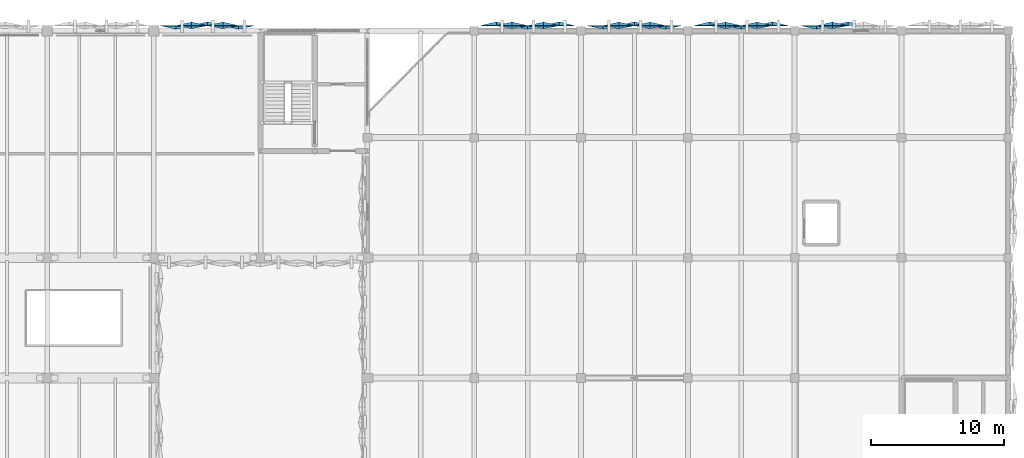
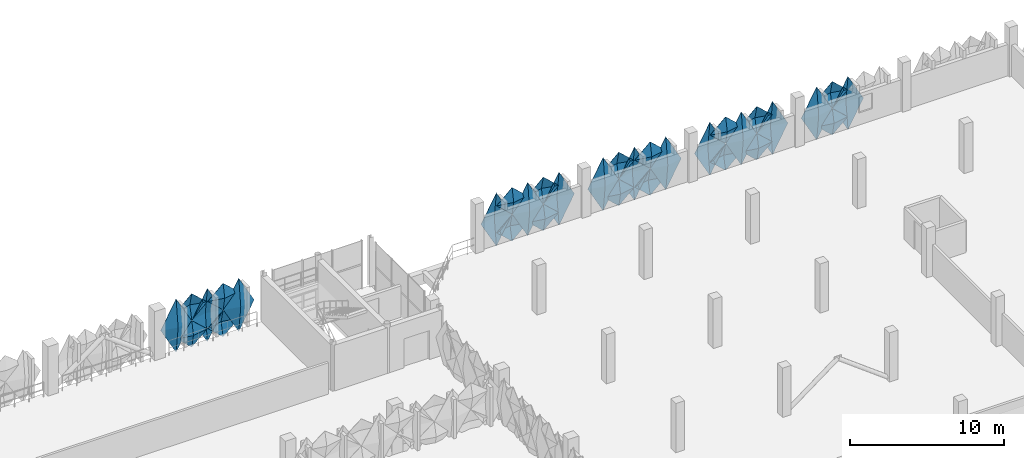
# One storey, part 81 of 96: 32 plates.
"""IFC4 building model written with IfcOpenShell, lengths in metres."""

import ifcopenshell
import ifcopenshell.guid

model = None  # the IFC model being written
_history = None  # IfcOwnerHistory: only IFC2X3 demands one
_inside = {}  # id of a spatial element -> (the spatial element, [elements in it])
_under = {}  # id of a project, library or spatial element -> (it, [spatial elements below it])
_declared = {}  # id of a project -> (the project, [libraries it declares])
_typed = {}  # id of a type object -> (the type object, [elements of that type])
_made_of = {}  # id of a material, layer set ... -> (it, [elements and type objects made of it])


def new_model(schema):
    """Start an empty IFC model of exactly this schema.

    Asked for "IFC4X3", IfcOpenShell would pick the latest addendum, in which some entities
    have other attributes; the version numbers below select the first issue.
    IFC2X3 requires an IfcOwnerHistory on every rooted entity: one is made here for all.
    """
    global model, _history
    if schema == "IFC4X3":
        model = ifcopenshell.file(schema_version=(4, 3, 0, 0))
    else:
        model = ifcopenshell.file(schema=schema)
    _inside.clear()
    _under.clear()
    _declared.clear()
    _typed.clear()
    _made_of.clear()
    _history = None
    if model.schema == "IFC2X3":
        org = make("IfcOrganization", Name="unknown")
        user = make(
            "IfcPersonAndOrganization",
            ThePerson=make("IfcPerson", FamilyName="unknown"),
            TheOrganization=org,
        )
        app = make(
            "IfcApplication",
            ApplicationDeveloper=org,
            Version="unknown",
            ApplicationFullName="unknown",
            ApplicationIdentifier="unknown",
        )
        _history = make(
            "IfcOwnerHistory",
            OwningUser=user,
            OwningApplication=app,
            ChangeAction="ADDED",
            CreationDate=0,
        )
    return model


def make(cls, **values):
    """One entity of the class cls with the attributes given. An attribute that is None is left unset."""
    return model.create_entity(
        cls, **{name: value for name, value in values.items() if value is not None}
    )


def rooted(cls, **values):
    """An entity with a GlobalId (a new one), such as an element, a storey or a relation."""
    return make(cls, GlobalId=ifcopenshell.guid.new(), OwnerHistory=_history, **values)


def si_unit(unit_type, name, prefix=None):
    """IfcSIUnit, for example si_unit("LENGTHUNIT", "METRE", prefix="MILLI")."""
    return make("IfcSIUnit", UnitType=unit_type, Prefix=prefix, Name=name)


def derived_unit(unit_type, elements):
    """IfcDerivedUnit: a product of units, each with its exponent."""
    return make(
        "IfcDerivedUnit",
        Elements=[
            make("IfcDerivedUnitElement", Unit=unit, Exponent=power)
            for unit, power in elements
        ],
        UnitType=unit_type,
    )


def assignment(units):
    """IfcUnitAssignment: the units of a project."""
    return None if units is None else make("IfcUnitAssignment", Units=units)


def point(xyz):
    """IfcCartesianPoint."""
    return None if xyz is None else make("IfcCartesianPoint", Coordinates=xyz)


def direction(xyz):
    """IfcDirection."""
    return None if xyz is None else make("IfcDirection", DirectionRatios=xyz)


def frame(location, z_axis=None, x_axis=None):
    """IfcAxis2Placement3D, a coordinate frame: its origin and axes. An axis left out is left unset."""
    return make(
        "IfcAxis2Placement3D",
        Location=point(location),
        Axis=direction(z_axis),
        RefDirection=direction(x_axis),
    )


def origin():
    """The frame at (0, 0, 0) with its axes left unset."""
    return frame((0.0, 0.0, 0.0))


def place(relative_to, where):
    """IfcLocalPlacement: puts the frame where relative to a parent placement (None: the world)."""
    return make(
        "IfcLocalPlacement", PlacementRelTo=relative_to, RelativePlacement=where
    )


def context(
    kind, dimensions, precision=None, world=None, true_north=None, identifier=None
):
    """IfcGeometricRepresentationContext, for example the 3D "Model" context."""
    return make(
        "IfcGeometricRepresentationContext",
        ContextIdentifier=identifier,
        ContextType=kind,
        CoordinateSpaceDimension=dimensions,
        Precision=precision,
        WorldCoordinateSystem=world,
        TrueNorth=true_north,
    )


def subcontext(parent, identifier, kind, view, scale=None):
    """IfcGeometricRepresentationSubContext, for example "Body" below "Model"."""
    return make(
        "IfcGeometricRepresentationSubContext",
        ContextIdentifier=identifier,
        ContextType=kind,
        ParentContext=parent,
        TargetScale=scale,
        TargetView=view,
    )


def project(units=None, contexts=None):
    """IfcProject with its units and contexts."""
    return rooted(
        "IfcProject",
        Name="project",
        RepresentationContexts=contexts,
        UnitsInContext=assignment(units),
    )


def spatial(cls, under=None, at=None, **own):
    """A site, building, storey or space (cls), placed at a placement, below another one or the project."""
    s = rooted(cls, ObjectPlacement=at, **own)
    if under is not None:
        _under.setdefault(under.id(), (under, []))[1].append(s)
    return s


def point_list(points):
    """IfcCartesianPointList2D or 3D."""
    cls = (
        "IfcCartesianPointList2D" if len(points[0]) == 2 else "IfcCartesianPointList3D"
    )
    return make(cls, CoordList=points)


def polygons(points, faces, closed=None, point_numbers=None):
    """IfcPolygonalFaceSet: a face is its outer loop, then its inner loops; points numbered from 1."""
    made = []
    for loops in faces:
        if len(loops) == 1:
            made.append(make("IfcIndexedPolygonalFace", CoordIndex=loops[0]))
        else:
            made.append(
                make(
                    "IfcIndexedPolygonalFaceWithVoids",
                    CoordIndex=loops[0],
                    InnerCoordIndices=loops[1:],
                )
            )
    return make(
        "IfcPolygonalFaceSet",
        Coordinates=point_list(points),
        Closed=closed,
        Faces=made,
        PnIndex=point_numbers,
    )


def shape(context_of_items, identifier, shape_type, items):
    """IfcShapeRepresentation: the items that make up one representation, for example the "Body"."""
    return make(
        "IfcShapeRepresentation",
        ContextOfItems=context_of_items,
        RepresentationIdentifier=identifier,
        RepresentationType=shape_type,
        Items=items,
    )


def material(Name=None, Category=None):
    """IfcMaterial."""
    return make("IfcMaterial", Name=Name, Category=Category)


def layer(
    of_material, thickness, ventilated=None, Name=None, Category=None, Priority=None
):
    """IfcMaterialLayer: one layer of a wall or slab, of a material (None: an air gap)."""
    return make(
        "IfcMaterialLayer",
        Material=of_material,
        LayerThickness=thickness,
        IsVentilated=ventilated,
        Name=Name,
        Category=Category,
        Priority=Priority,
    )


def layer_set(layers, Name=None):
    """IfcMaterialLayerSet."""
    return make("IfcMaterialLayerSet", MaterialLayers=layers, LayerSetName=Name)


def made_of(thing, what):
    """Note that an element or type object is made of a material, layer set ...; save() writes the relation."""
    if what is not None:
        _made_of.setdefault(what.id(), (what, []))[1].append(thing)
    return thing


def type_object(cls, material=None, **own):
    """A type object (cls), such as IfcWallType, which elements share."""
    return made_of(rooted(cls, **own), material)


def element(
    cls,
    number,
    at=None,
    inside=None,
    cuts=None,
    type_object=None,
    material=None,
    context=None,
    identifier="Body",
    shape_type=None,
    held_by="IfcProductDefinitionShape",
    body=None,
    shapes=None,
    **own,
):
    """One element of the class cls, such as IfcWall. Its Tag is "e" and its number.

    at: its placement. inside: the storey or other place that contains it. cuts: it is an
    opening in that element (IfcRelVoidsElement). A single representation is given by context,
    identifier, shape_type and body (its items); several are given by shapes. held_by: the class
    of the entity that holds the representations. save() writes the other relations.
    """
    e = rooted(cls, Tag="e%d" % number, ObjectPlacement=at, **own)
    if body is not None:
        shapes = [shape(context, identifier, shape_type, body)]
    if shapes is not None:
        e.Representation = make(held_by, Representations=shapes)
    if inside is not None:
        _inside.setdefault(inside.id(), (inside, []))[1].append(e)
    if cuts is not None:
        rooted(
            "IfcRelVoidsElement", RelatingBuildingElement=cuts, RelatedOpeningElement=e
        )
    if type_object is not None:
        _typed.setdefault(type_object.id(), (type_object, []))[1].append(e)
    return made_of(e, material)


def aggregate(whole, parts):
    """IfcRelAggregates: a whole, such as a stair, and the parts it consists of."""
    return rooted("IfcRelAggregates", RelatingObject=whole, RelatedObjects=parts)


def save(model, path):
    """Write the relations noted so far, then the file.

    IfcRelAggregates (storeys below a building ...), IfcRelContainedInSpatialStructure (elements
    in a storey), IfcRelDefinesByType, IfcRelAssociatesMaterial and IfcRelDeclares: one each for
    every whole, place, type object, material and project.
    """
    for whole, parts in _under.values():
        aggregate(whole, parts)
    for where, things in _inside.values():
        rooted(
            "IfcRelContainedInSpatialStructure",
            RelatedElements=things,
            RelatingStructure=where,
        )
    for kind, things in _typed.values():
        rooted("IfcRelDefinesByType", RelatedObjects=things, RelatingType=kind)
    for what, things in _made_of.values():
        rooted("IfcRelAssociatesMaterial", RelatedObjects=things, RelatingMaterial=what)
    for by, libraries in _declared.values():
        rooted("IfcRelDeclares", RelatingContext=by, RelatedDefinitions=libraries)
    model.write(path)


model = new_model("IFC4")

# Units and contexts
model_context = context("Model", 3, precision=1e-05, world=origin(), true_north=direction((0.0, 1.0)))
body_context = subcontext(model_context, "Body", "Model", "MODEL_VIEW")
ifc_project = project(units=[si_unit("LENGTHUNIT", "METRE"), si_unit("AREAUNIT", "SQUARE_METRE"), si_unit("VOLUMEUNIT", "CUBIC_METRE"), si_unit("PLANEANGLEUNIT", "RADIAN"), si_unit("MASSUNIT", "GRAM", prefix="KILO"), si_unit("THERMODYNAMICTEMPERATUREUNIT", "KELVIN"), derived_unit("THERMALTRANSMITTANCEUNIT", [(si_unit("POWERUNIT", "WATT"), 1), (si_unit("AREAUNIT", "SQUARE_METRE"), -1), (si_unit("THERMODYNAMICTEMPERATUREUNIT", "KELVIN"), -1)])], contexts=[model_context])

# Site, building, storey
site_placement = place(None, origin())
site = spatial("IfcSite", under=ifc_project, at=site_placement, CompositionType="ELEMENT")
building_placement = place(site_placement, origin())
building = spatial("IfcBuilding", under=site, at=building_placement, Name="Haiyu Intermodal Mobility Hub", CompositionType="ELEMENT")
storey_placement = place(building_placement, frame((0.0, 0.0, 9.5)))
storey = spatial("IfcBuildingStorey", under=building, at=storey_placement, Name="L02", CompositionType="ELEMENT", Elevation=9.5)

# Plates
ifc_material = material(Name="Anodised aluminium 6063-T6", Category="aluminium")
ifc_layer_1 = layer(ifc_material, 0.01806640625)
ifc_layer_set_1 = layer_set([ifc_layer_1], Name="Anodised aluminium 6063-T6")
plate_type_1 = type_object("IfcPlateType", Name="PLT-FC01", PredefinedType="USERDEFINED", material=ifc_layer_set_1)
plate_1_placement = place(storey_placement, origin())
element("IfcPlate", 1, at=plate_1_placement, inside=storey, type_object=plate_type_1, Name="PLT-PYR-1161", ObjectType="FACADE CASSETTE", PredefinedType="USERDEFINED", context=body_context, shape_type="Tessellation", body=[
    polygons([(171.653076171875, 148.39990234375, -0.510009765625), (170.5, 148.39990234375, 1.60009765625), (171.653076171875, 148.39990234375, 3.7099609375), (172.806884765625, 148.39990234375, 1.60009765625), (171.653076171875, 148.679931640625, 1.60009765625), (171.653076171875, 148.3779296875, -0.510009765625), (170.5, 148.3779296875, 1.60009765625), (171.653076171875, 148.3779296875, 3.7099609375), (172.806884765625, 148.3779296875, 1.60009765625), (171.653076171875, 148.657958984375, 1.60009765625)], [[[1, 2, 5]], [[2, 3, 5]], [[3, 4, 5]], [[4, 1, 5]], [[7, 6, 10]], [[8, 7, 10]], [[9, 8, 10]], [[6, 9, 10]], [[1, 6, 7, 2]], [[2, 7, 8, 3]], [[3, 8, 9, 4]], [[4, 9, 6, 1]]], closed=True),
])
plate_2_placement = place(storey_placement, origin())
element("IfcPlate", 2, at=plate_2_placement, inside=storey, type_object=plate_type_1, Name="PLT-PYR-1175", ObjectType="FACADE CASSETTE", PredefinedType="USERDEFINED", context=body_context, shape_type="Tessellation", body=[
    polygons([(187.653076171875, 148.39990234375, -0.510009765625), (186.5, 148.39990234375, 1.60009765625), (187.653076171875, 148.39990234375, 3.7099609375), (188.806884765625, 148.39990234375, 1.60009765625), (187.653076171875, 148.679931640625, 1.60009765625), (187.653076171875, 148.3779296875, -0.510009765625), (186.5, 148.3779296875, 1.60009765625), (187.653076171875, 148.3779296875, 3.7099609375), (188.806884765625, 148.3779296875, 1.60009765625), (187.653076171875, 148.657958984375, 1.60009765625)], [[[1, 2, 5]], [[2, 3, 5]], [[3, 4, 5]], [[4, 1, 5]], [[7, 6, 10]], [[8, 7, 10]], [[9, 8, 10]], [[6, 9, 10]], [[1, 6, 7, 2]], [[2, 7, 8, 3]], [[3, 8, 9, 4]], [[4, 9, 6, 1]]], closed=True),
])
ifc_layer_2 = layer(ifc_material, 0.02001953125)
ifc_layer_set_2 = layer_set([ifc_layer_2], Name="Anodised aluminium 6063-T6")
plate_type_2 = type_object("IfcPlateType", Name="PLT-FC02", PredefinedType="USERDEFINED", material=ifc_layer_set_2)
plate_3_placement = place(storey_placement, origin())
element("IfcPlate", 3, at=plate_3_placement, inside=storey, type_object=plate_type_2, Name="PLT-PYR-0499", ObjectType="FACADE CASSETTE", PredefinedType="USERDEFINED", context=body_context, shape_type="Tessellation", body=[
    polygons([(147.653076171875, 148.39990234375, -0.510009765625), (146.5, 148.39990234375, 1.60009765625), (147.653076171875, 148.39990234375, 3.7099609375), (148.806884765625, 148.39990234375, 1.60009765625), (147.653076171875, 148.139892578125, 1.60009765625), (147.653076171875, 148.3779296875, -0.510009765625), (146.5, 148.3779296875, 1.60009765625), (147.653076171875, 148.3779296875, 3.7099609375), (148.806884765625, 148.3779296875, 1.60009765625), (147.653076171875, 148.117919921875, 1.60009765625)], [[[1, 2, 5]], [[2, 3, 5]], [[3, 4, 5]], [[4, 1, 5]], [[7, 6, 10]], [[8, 7, 10]], [[9, 8, 10]], [[6, 9, 10]], [[1, 6, 7, 2]], [[2, 7, 8, 3]], [[3, 8, 9, 4]], [[4, 9, 6, 1]]], closed=True),
])
plate_4_placement = place(storey_placement, origin())
element("IfcPlate", 4, at=plate_4_placement, inside=storey, type_object=plate_type_2, Name="PLT-PYR-1168", ObjectType="FACADE CASSETTE", PredefinedType="USERDEFINED", context=body_context, shape_type="Tessellation", body=[
    polygons([(179.653076171875, 148.39990234375, -0.510009765625), (178.5, 148.39990234375, 1.60009765625), (179.653076171875, 148.39990234375, 3.7099609375), (180.806884765625, 148.39990234375, 1.60009765625), (179.653076171875, 148.139892578125, 1.60009765625), (179.653076171875, 148.3779296875, -0.510009765625), (178.5, 148.3779296875, 1.60009765625), (179.653076171875, 148.3779296875, 3.7099609375), (180.806884765625, 148.3779296875, 1.60009765625), (179.653076171875, 148.117919921875, 1.60009765625)], [[[1, 2, 5]], [[2, 3, 5]], [[3, 4, 5]], [[4, 1, 5]], [[7, 6, 10]], [[8, 7, 10]], [[9, 8, 10]], [[6, 9, 10]], [[1, 6, 7, 2]], [[2, 7, 8, 3]], [[3, 8, 9, 4]], [[4, 9, 6, 1]]], closed=True),
])
plate_5_placement = place(storey_placement, origin())
element("IfcPlate", 5, at=plate_5_placement, inside=storey, type_object=plate_type_2, Name="PLT-PYR-1182", ObjectType="FACADE CASSETTE", PredefinedType="USERDEFINED", context=body_context, shape_type="Tessellation", body=[
    polygons([(195.653076171875, 148.39990234375, -0.510009765625), (194.5, 148.39990234375, 1.60009765625), (195.653076171875, 148.39990234375, 3.7099609375), (196.806884765625, 148.39990234375, 1.60009765625), (195.653076171875, 148.139892578125, 1.60009765625), (195.653076171875, 148.3779296875, -0.510009765625), (194.5, 148.3779296875, 1.60009765625), (195.653076171875, 148.3779296875, 3.7099609375), (196.806884765625, 148.3779296875, 1.60009765625), (195.653076171875, 148.117919921875, 1.60009765625)], [[[1, 2, 5]], [[2, 3, 5]], [[3, 4, 5]], [[4, 1, 5]], [[7, 6, 10]], [[8, 7, 10]], [[9, 8, 10]], [[6, 9, 10]], [[1, 6, 7, 2]], [[2, 7, 8, 3]], [[3, 8, 9, 4]], [[4, 9, 6, 1]]], closed=True),
])
ifc_layer_3 = layer(ifc_material, 0.01806640625)
ifc_layer_set_3 = layer_set([ifc_layer_3], Name="Anodised aluminium 6063-T6")
plate_type_3 = type_object("IfcPlateType", Name="PLT-FC05", PredefinedType="USERDEFINED", material=ifc_layer_set_3)
plate_6_placement = place(storey_placement, origin())
element("IfcPlate", 6, at=plate_6_placement, inside=storey, type_object=plate_type_3, Name="PLT-PYR-0494", ObjectType="FACADE CASSETTE", PredefinedType="USERDEFINED", context=body_context, shape_type="Tessellation", body=[
    polygons([(151.173095703125, 148.39990234375, -0.52001953125), (150.02001953125, 148.39990234375, 0.530029296875), (151.173095703125, 148.39990234375, 1.580078125), (152.326904296875, 148.39990234375, 0.530029296875), (151.173095703125, 148.659912109375, 0.530029296875), (151.173095703125, 148.3779296875, -0.52001953125), (150.02001953125, 148.3779296875, 0.530029296875), (151.173095703125, 148.3779296875, 1.580078125), (152.326904296875, 148.3779296875, 0.530029296875), (151.173095703125, 148.637939453125, 0.530029296875)], [[[1, 2, 5]], [[2, 3, 5]], [[3, 4, 5]], [[4, 1, 5]], [[7, 6, 10]], [[8, 7, 10]], [[9, 8, 10]], [[6, 9, 10]], [[1, 6, 7, 2]], [[2, 7, 8, 3]], [[3, 8, 9, 4]], [[4, 9, 6, 1]]], closed=True),
])
plate_7_placement = place(storey_placement, origin())
element("IfcPlate", 7, at=plate_7_placement, inside=storey, type_object=plate_type_3, Name="PLT-PYR-1155", ObjectType="FACADE CASSETTE", PredefinedType="USERDEFINED", context=body_context, shape_type="Tessellation", body=[
    polygons([(176.346923828125, 148.39990234375, -0.510009765625), (175.193115234375, 148.39990234375, 1.60009765625), (176.346923828125, 148.39990234375, 3.7099609375), (177.5, 148.39990234375, 1.60009765625), (176.346923828125, 148.679931640625, 1.60009765625), (176.346923828125, 148.3779296875, -0.510009765625), (175.193115234375, 148.3779296875, 1.60009765625), (176.346923828125, 148.3779296875, 3.7099609375), (177.5, 148.3779296875, 1.60009765625), (176.346923828125, 148.657958984375, 1.60009765625)], [[[1, 2, 5]], [[2, 3, 5]], [[3, 4, 5]], [[4, 1, 5]], [[7, 6, 10]], [[8, 7, 10]], [[9, 8, 10]], [[6, 9, 10]], [[1, 6, 7, 2]], [[2, 7, 8, 3]], [[3, 8, 9, 4]], [[4, 9, 6, 1]]], closed=True),
])
plate_8_placement = place(storey_placement, origin())
element("IfcPlate", 8, at=plate_8_placement, inside=storey, type_object=plate_type_3, Name="PLT-PYR-1159", ObjectType="FACADE CASSETTE", PredefinedType="USERDEFINED", context=body_context, shape_type="Tessellation", body=[
    polygons([(172.826904296875, 148.39990234375, -0.52001953125), (171.673095703125, 148.39990234375, 0.530029296875), (172.826904296875, 148.39990234375, 1.580078125), (173.97998046875, 148.39990234375, 0.530029296875), (172.826904296875, 148.659912109375, 0.530029296875), (172.826904296875, 148.3779296875, -0.52001953125), (171.673095703125, 148.3779296875, 0.530029296875), (172.826904296875, 148.3779296875, 1.580078125), (173.97998046875, 148.3779296875, 0.530029296875), (172.826904296875, 148.637939453125, 0.530029296875)], [[[1, 2, 5]], [[2, 3, 5]], [[3, 4, 5]], [[4, 1, 5]], [[7, 6, 10]], [[8, 7, 10]], [[9, 8, 10]], [[6, 9, 10]], [[1, 6, 7, 2]], [[2, 7, 8, 3]], [[3, 8, 9, 4]], [[4, 9, 6, 1]]], closed=True),
])
plate_9_placement = place(storey_placement, origin())
element("IfcPlate", 9, at=plate_9_placement, inside=storey, type_object=plate_type_3, Name="PLT-PYR-1163", ObjectType="FACADE CASSETTE", PredefinedType="USERDEFINED", context=body_context, shape_type="Tessellation", body=[
    polygons([(183.173095703125, 148.39990234375, -0.52001953125), (182.02001953125, 148.39990234375, 0.530029296875), (183.173095703125, 148.39990234375, 1.580078125), (184.326904296875, 148.39990234375, 0.530029296875), (183.173095703125, 148.659912109375, 0.530029296875), (183.173095703125, 148.3779296875, -0.52001953125), (182.02001953125, 148.3779296875, 0.530029296875), (183.173095703125, 148.3779296875, 1.580078125), (184.326904296875, 148.3779296875, 0.530029296875), (183.173095703125, 148.637939453125, 0.530029296875)], [[[1, 2, 5]], [[2, 3, 5]], [[3, 4, 5]], [[4, 1, 5]], [[7, 6, 10]], [[8, 7, 10]], [[9, 8, 10]], [[6, 9, 10]], [[1, 6, 7, 2]], [[2, 7, 8, 3]], [[3, 8, 9, 4]], [[4, 9, 6, 1]]], closed=True),
])
plate_10_placement = place(storey_placement, origin())
element("IfcPlate", 10, at=plate_10_placement, inside=storey, type_object=plate_type_3, Name="PLT-PYR-1169", ObjectType="FACADE CASSETTE", PredefinedType="USERDEFINED", context=body_context, shape_type="Tessellation", body=[
    polygons([(192.346923828125, 148.39990234375, -0.510009765625), (191.193115234375, 148.39990234375, 1.60009765625), (192.346923828125, 148.39990234375, 3.7099609375), (193.5, 148.39990234375, 1.60009765625), (192.346923828125, 148.679931640625, 1.60009765625), (192.346923828125, 148.3779296875, -0.510009765625), (191.193115234375, 148.3779296875, 1.60009765625), (192.346923828125, 148.3779296875, 3.7099609375), (193.5, 148.3779296875, 1.60009765625), (192.346923828125, 148.657958984375, 1.60009765625)], [[[1, 2, 5]], [[2, 3, 5]], [[3, 4, 5]], [[4, 1, 5]], [[7, 6, 10]], [[8, 7, 10]], [[9, 8, 10]], [[6, 9, 10]], [[1, 6, 7, 2]], [[2, 7, 8, 3]], [[3, 8, 9, 4]], [[4, 9, 6, 1]]], closed=True),
])
plate_11_placement = place(storey_placement, origin())
element("IfcPlate", 11, at=plate_11_placement, inside=storey, type_object=plate_type_3, Name="PLT-PYR-1173", ObjectType="FACADE CASSETTE", PredefinedType="USERDEFINED", context=body_context, shape_type="Tessellation", body=[
    polygons([(188.826904296875, 148.39990234375, -0.52001953125), (187.673095703125, 148.39990234375, 0.530029296875), (188.826904296875, 148.39990234375, 1.580078125), (189.97998046875, 148.39990234375, 0.530029296875), (188.826904296875, 148.659912109375, 0.530029296875), (188.826904296875, 148.3779296875, -0.52001953125), (187.673095703125, 148.3779296875, 0.530029296875), (188.826904296875, 148.3779296875, 1.580078125), (189.97998046875, 148.3779296875, 0.530029296875), (188.826904296875, 148.637939453125, 0.530029296875)], [[[1, 2, 5]], [[2, 3, 5]], [[3, 4, 5]], [[4, 1, 5]], [[7, 6, 10]], [[8, 7, 10]], [[9, 8, 10]], [[6, 9, 10]], [[1, 6, 7, 2]], [[2, 7, 8, 3]], [[3, 8, 9, 4]], [[4, 9, 6, 1]]], closed=True),
])
ifc_layer_4 = layer(ifc_material, 0.02001953125)
ifc_layer_set_4 = layer_set([ifc_layer_4], Name="Anodised aluminium 6063-T6")
plate_type_4 = type_object("IfcPlateType", Name="PLT-FC06", PredefinedType="USERDEFINED", material=ifc_layer_set_4)
plate_12_placement = place(storey_placement, origin())
element("IfcPlate", 12, at=plate_12_placement, inside=storey, type_object=plate_type_4, Name="PLT-PYR-0493", ObjectType="FACADE CASSETTE", PredefinedType="USERDEFINED", context=body_context, shape_type="Tessellation", body=[
    polygons([(152.346923828125, 148.39990234375, -0.510009765625), (151.193115234375, 148.39990234375, 1.60009765625), (152.346923828125, 148.39990234375, 3.7099609375), (153.5, 148.39990234375, 1.60009765625), (152.346923828125, 148.139892578125, 1.60009765625), (152.346923828125, 148.3779296875, -0.510009765625), (151.193115234375, 148.3779296875, 1.60009765625), (152.346923828125, 148.3779296875, 3.7099609375), (153.5, 148.3779296875, 1.60009765625), (152.346923828125, 148.117919921875, 1.60009765625)], [[[1, 2, 5]], [[2, 3, 5]], [[3, 4, 5]], [[4, 1, 5]], [[7, 6, 10]], [[8, 7, 10]], [[9, 8, 10]], [[6, 9, 10]], [[1, 6, 7, 2]], [[2, 7, 8, 3]], [[3, 8, 9, 4]], [[4, 9, 6, 1]]], closed=True),
])
plate_13_placement = place(storey_placement, origin())
element("IfcPlate", 13, at=plate_13_placement, inside=storey, type_object=plate_type_4, Name="PLT-PYR-0497", ObjectType="FACADE CASSETTE", PredefinedType="USERDEFINED", context=body_context, shape_type="Tessellation", body=[
    polygons([(148.826904296875, 148.39990234375, -0.52001953125), (147.673095703125, 148.39990234375, 0.530029296875), (148.826904296875, 148.39990234375, 1.580078125), (149.97998046875, 148.39990234375, 0.530029296875), (148.826904296875, 148.179931640625, 0.530029296875), (148.826904296875, 148.3779296875, -0.52001953125), (147.673095703125, 148.3779296875, 0.530029296875), (148.826904296875, 148.3779296875, 1.580078125), (149.97998046875, 148.3779296875, 0.530029296875), (148.826904296875, 148.157958984375, 0.530029296875)], [[[1, 2, 5]], [[2, 3, 5]], [[3, 4, 5]], [[4, 1, 5]], [[7, 6, 10]], [[8, 7, 10]], [[9, 8, 10]], [[6, 9, 10]], [[1, 6, 7, 2]], [[2, 7, 8, 3]], [[3, 8, 9, 4]], [[4, 9, 6, 1]]], closed=True),
])
plate_14_placement = place(storey_placement, origin())
element("IfcPlate", 14, at=plate_14_placement, inside=storey, type_object=plate_type_4, Name="PLT-PYR-1156", ObjectType="FACADE CASSETTE", PredefinedType="USERDEFINED", context=body_context, shape_type="Tessellation", body=[
    polygons([(175.173095703125, 148.39990234375, -0.52001953125), (174.02001953125, 148.39990234375, 0.530029296875), (175.173095703125, 148.39990234375, 1.580078125), (176.326904296875, 148.39990234375, 0.530029296875), (175.173095703125, 148.179931640625, 0.530029296875), (175.173095703125, 148.3779296875, -0.52001953125), (174.02001953125, 148.3779296875, 0.530029296875), (175.173095703125, 148.3779296875, 1.580078125), (176.326904296875, 148.3779296875, 0.530029296875), (175.173095703125, 148.157958984375, 0.530029296875)], [[[1, 2, 5]], [[2, 3, 5]], [[3, 4, 5]], [[4, 1, 5]], [[7, 6, 10]], [[8, 7, 10]], [[9, 8, 10]], [[6, 9, 10]], [[1, 6, 7, 2]], [[2, 7, 8, 3]], [[3, 8, 9, 4]], [[4, 9, 6, 1]]], closed=True),
])
plate_15_placement = place(storey_placement, origin())
element("IfcPlate", 15, at=plate_15_placement, inside=storey, type_object=plate_type_4, Name="PLT-PYR-1162", ObjectType="FACADE CASSETTE", PredefinedType="USERDEFINED", context=body_context, shape_type="Tessellation", body=[
    polygons([(184.346923828125, 148.39990234375, -0.510009765625), (183.193115234375, 148.39990234375, 1.60009765625), (184.346923828125, 148.39990234375, 3.7099609375), (185.5, 148.39990234375, 1.60009765625), (184.346923828125, 148.139892578125, 1.60009765625), (184.346923828125, 148.3779296875, -0.510009765625), (183.193115234375, 148.3779296875, 1.60009765625), (184.346923828125, 148.3779296875, 3.7099609375), (185.5, 148.3779296875, 1.60009765625), (184.346923828125, 148.117919921875, 1.60009765625)], [[[1, 2, 5]], [[2, 3, 5]], [[3, 4, 5]], [[4, 1, 5]], [[7, 6, 10]], [[8, 7, 10]], [[9, 8, 10]], [[6, 9, 10]], [[1, 6, 7, 2]], [[2, 7, 8, 3]], [[3, 8, 9, 4]], [[4, 9, 6, 1]]], closed=True),
])
plate_16_placement = place(storey_placement, origin())
element("IfcPlate", 16, at=plate_16_placement, inside=storey, type_object=plate_type_4, Name="PLT-PYR-1166", ObjectType="FACADE CASSETTE", PredefinedType="USERDEFINED", context=body_context, shape_type="Tessellation", body=[
    polygons([(180.826904296875, 148.39990234375, -0.52001953125), (179.673095703125, 148.39990234375, 0.530029296875), (180.826904296875, 148.39990234375, 1.580078125), (181.97998046875, 148.39990234375, 0.530029296875), (180.826904296875, 148.179931640625, 0.530029296875), (180.826904296875, 148.3779296875, -0.52001953125), (179.673095703125, 148.3779296875, 0.530029296875), (180.826904296875, 148.3779296875, 1.580078125), (181.97998046875, 148.3779296875, 0.530029296875), (180.826904296875, 148.157958984375, 0.530029296875)], [[[1, 2, 5]], [[2, 3, 5]], [[3, 4, 5]], [[4, 1, 5]], [[7, 6, 10]], [[8, 7, 10]], [[9, 8, 10]], [[6, 9, 10]], [[1, 6, 7, 2]], [[2, 7, 8, 3]], [[3, 8, 9, 4]], [[4, 9, 6, 1]]], closed=True),
])
plate_17_placement = place(storey_placement, origin())
element("IfcPlate", 17, at=plate_17_placement, inside=storey, type_object=plate_type_4, Name="PLT-PYR-1170", ObjectType="FACADE CASSETTE", PredefinedType="USERDEFINED", context=body_context, shape_type="Tessellation", body=[
    polygons([(191.173095703125, 148.39990234375, -0.52001953125), (190.02001953125, 148.39990234375, 0.530029296875), (191.173095703125, 148.39990234375, 1.580078125), (192.326904296875, 148.39990234375, 0.530029296875), (191.173095703125, 148.179931640625, 0.530029296875), (191.173095703125, 148.3779296875, -0.52001953125), (190.02001953125, 148.3779296875, 0.530029296875), (191.173095703125, 148.3779296875, 1.580078125), (192.326904296875, 148.3779296875, 0.530029296875), (191.173095703125, 148.157958984375, 0.530029296875)], [[[1, 2, 5]], [[2, 3, 5]], [[3, 4, 5]], [[4, 1, 5]], [[7, 6, 10]], [[8, 7, 10]], [[9, 8, 10]], [[6, 9, 10]], [[1, 6, 7, 2]], [[2, 7, 8, 3]], [[3, 8, 9, 4]], [[4, 9, 6, 1]]], closed=True),
])
plate_18_placement = place(storey_placement, origin())
element("IfcPlate", 18, at=plate_18_placement, inside=storey, type_object=plate_type_4, Name="PLT-PYR-1180", ObjectType="FACADE CASSETTE", PredefinedType="USERDEFINED", context=body_context, shape_type="Tessellation", body=[
    polygons([(196.826904296875, 148.39990234375, -0.52001953125), (195.673095703125, 148.39990234375, 0.530029296875), (196.826904296875, 148.39990234375, 1.580078125), (197.97998046875, 148.39990234375, 0.530029296875), (196.826904296875, 148.179931640625, 0.530029296875), (196.826904296875, 148.3779296875, -0.52001953125), (195.673095703125, 148.3779296875, 0.530029296875), (196.826904296875, 148.3779296875, 1.580078125), (197.97998046875, 148.3779296875, 0.530029296875), (196.826904296875, 148.157958984375, 0.530029296875)], [[[1, 2, 5]], [[2, 3, 5]], [[3, 4, 5]], [[4, 1, 5]], [[7, 6, 10]], [[8, 7, 10]], [[9, 8, 10]], [[6, 9, 10]], [[1, 6, 7, 2]], [[2, 7, 8, 3]], [[3, 8, 9, 4]], [[4, 9, 6, 1]]], closed=True),
])
ifc_layer_5 = layer(ifc_material, 0.02197265625)
ifc_layer_set_5 = layer_set([ifc_layer_5], Name="Anodised aluminium 6063-T6")
plate_type_5 = type_object("IfcPlateType", Name="PLT-FC07", PredefinedType="USERDEFINED", material=ifc_layer_set_5)
plate_19_placement = place(storey_placement, origin())
element("IfcPlate", 19, at=plate_19_placement, inside=storey, type_object=plate_type_5, Name="PLT-PYR-0496", ObjectType="FACADE CASSETTE", PredefinedType="USERDEFINED", context=body_context, shape_type="Tessellation", body=[
    polygons([(150.0, 148.39990234375, -0.510009765625), (148.846923828125, 148.39990234375, 1.60009765625), (150.0, 148.39990234375, 3.7099609375), (151.153076171875, 148.39990234375, 1.60009765625), (150.0, 148.679931640625, 1.60009765625), (150.0, 148.3779296875, -0.510009765625), (148.846923828125, 148.3779296875, 1.60009765625), (150.0, 148.3779296875, 3.7099609375), (151.153076171875, 148.3779296875, 1.60009765625), (150.0, 148.657958984375, 1.60009765625)], [[[1, 2, 5]], [[2, 3, 5]], [[3, 4, 5]], [[4, 1, 5]], [[7, 6, 10]], [[8, 7, 10]], [[9, 8, 10]], [[6, 9, 10]], [[1, 6, 7, 2]], [[2, 7, 8, 3]], [[3, 8, 9, 4]], [[4, 9, 6, 1]]], closed=True),
])
plate_20_placement = place(storey_placement, origin())
element("IfcPlate", 20, at=plate_20_placement, inside=storey, type_object=plate_type_5, Name="PLT-PYR-0498", ObjectType="FACADE CASSETTE", PredefinedType="USERDEFINED", context=body_context, shape_type="Tessellation", body=[
    polygons([(148.826904296875, 148.39990234375, 1.6201171875), (147.673095703125, 148.39990234375, 2.669921875), (148.826904296875, 148.39990234375, 3.719970703125), (149.97998046875, 148.39990234375, 2.669921875), (148.826904296875, 148.659912109375, 2.669921875), (148.826904296875, 148.3779296875, 1.6201171875), (147.673095703125, 148.3779296875, 2.669921875), (148.826904296875, 148.3779296875, 3.719970703125), (149.97998046875, 148.3779296875, 2.669921875), (148.826904296875, 148.637939453125, 2.669921875)], [[[1, 2, 5]], [[2, 3, 5]], [[3, 4, 5]], [[4, 1, 5]], [[7, 6, 10]], [[8, 7, 10]], [[9, 8, 10]], [[6, 9, 10]], [[1, 6, 7, 2]], [[2, 7, 8, 3]], [[3, 8, 9, 4]], [[4, 9, 6, 1]]], closed=True),
])
plate_21_placement = place(storey_placement, origin())
element("IfcPlate", 21, at=plate_21_placement, inside=storey, type_object=plate_type_5, Name="PLT-PYR-1157", ObjectType="FACADE CASSETTE", PredefinedType="USERDEFINED", context=body_context, shape_type="Tessellation", body=[
    polygons([(175.173095703125, 148.39990234375, 1.6201171875), (174.02001953125, 148.39990234375, 2.669921875), (175.173095703125, 148.39990234375, 3.719970703125), (176.326904296875, 148.39990234375, 2.669921875), (175.173095703125, 148.659912109375, 2.669921875), (175.173095703125, 148.3779296875, 1.6201171875), (174.02001953125, 148.3779296875, 2.669921875), (175.173095703125, 148.3779296875, 3.719970703125), (176.326904296875, 148.3779296875, 2.669921875), (175.173095703125, 148.637939453125, 2.669921875)], [[[1, 2, 5]], [[2, 3, 5]], [[3, 4, 5]], [[4, 1, 5]], [[7, 6, 10]], [[8, 7, 10]], [[9, 8, 10]], [[6, 9, 10]], [[1, 6, 7, 2]], [[2, 7, 8, 3]], [[3, 8, 9, 4]], [[4, 9, 6, 1]]], closed=True),
])
plate_22_placement = place(storey_placement, origin())
element("IfcPlate", 22, at=plate_22_placement, inside=storey, type_object=plate_type_5, Name="PLT-PYR-1165", ObjectType="FACADE CASSETTE", PredefinedType="USERDEFINED", context=body_context, shape_type="Tessellation", body=[
    polygons([(182.0, 148.39990234375, -0.510009765625), (180.846923828125, 148.39990234375, 1.60009765625), (182.0, 148.39990234375, 3.7099609375), (183.153076171875, 148.39990234375, 1.60009765625), (182.0, 148.679931640625, 1.60009765625), (182.0, 148.3779296875, -0.510009765625), (180.846923828125, 148.3779296875, 1.60009765625), (182.0, 148.3779296875, 3.7099609375), (183.153076171875, 148.3779296875, 1.60009765625), (182.0, 148.657958984375, 1.60009765625)], [[[1, 2, 5]], [[2, 3, 5]], [[3, 4, 5]], [[4, 1, 5]], [[7, 6, 10]], [[8, 7, 10]], [[9, 8, 10]], [[6, 9, 10]], [[1, 6, 7, 2]], [[2, 7, 8, 3]], [[3, 8, 9, 4]], [[4, 9, 6, 1]]], closed=True),
])
plate_23_placement = place(storey_placement, origin())
element("IfcPlate", 23, at=plate_23_placement, inside=storey, type_object=plate_type_5, Name="PLT-PYR-1167", ObjectType="FACADE CASSETTE", PredefinedType="USERDEFINED", context=body_context, shape_type="Tessellation", body=[
    polygons([(180.826904296875, 148.39990234375, 1.6201171875), (179.673095703125, 148.39990234375, 2.669921875), (180.826904296875, 148.39990234375, 3.719970703125), (181.97998046875, 148.39990234375, 2.669921875), (180.826904296875, 148.659912109375, 2.669921875), (180.826904296875, 148.3779296875, 1.6201171875), (179.673095703125, 148.3779296875, 2.669921875), (180.826904296875, 148.3779296875, 3.719970703125), (181.97998046875, 148.3779296875, 2.669921875), (180.826904296875, 148.637939453125, 2.669921875)], [[[1, 2, 5]], [[2, 3, 5]], [[3, 4, 5]], [[4, 1, 5]], [[7, 6, 10]], [[8, 7, 10]], [[9, 8, 10]], [[6, 9, 10]], [[1, 6, 7, 2]], [[2, 7, 8, 3]], [[3, 8, 9, 4]], [[4, 9, 6, 1]]], closed=True),
])
plate_24_placement = place(storey_placement, origin())
element("IfcPlate", 24, at=plate_24_placement, inside=storey, type_object=plate_type_5, Name="PLT-PYR-1171", ObjectType="FACADE CASSETTE", PredefinedType="USERDEFINED", context=body_context, shape_type="Tessellation", body=[
    polygons([(191.173095703125, 148.39990234375, 1.6201171875), (190.02001953125, 148.39990234375, 2.669921875), (191.173095703125, 148.39990234375, 3.719970703125), (192.326904296875, 148.39990234375, 2.669921875), (191.173095703125, 148.659912109375, 2.669921875), (191.173095703125, 148.3779296875, 1.6201171875), (190.02001953125, 148.3779296875, 2.669921875), (191.173095703125, 148.3779296875, 3.719970703125), (192.326904296875, 148.3779296875, 2.669921875), (191.173095703125, 148.637939453125, 2.669921875)], [[[1, 2, 5]], [[2, 3, 5]], [[3, 4, 5]], [[4, 1, 5]], [[7, 6, 10]], [[8, 7, 10]], [[9, 8, 10]], [[6, 9, 10]], [[1, 6, 7, 2]], [[2, 7, 8, 3]], [[3, 8, 9, 4]], [[4, 9, 6, 1]]], closed=True),
])
plate_25_placement = place(storey_placement, origin())
element("IfcPlate", 25, at=plate_25_placement, inside=storey, type_object=plate_type_5, Name="PLT-PYR-1179", ObjectType="FACADE CASSETTE", PredefinedType="USERDEFINED", context=body_context, shape_type="Tessellation", body=[
    polygons([(198.0, 148.39990234375, -0.510009765625), (196.846923828125, 148.39990234375, 1.60009765625), (198.0, 148.39990234375, 3.7099609375), (199.153076171875, 148.39990234375, 1.60009765625), (198.0, 148.679931640625, 1.60009765625), (198.0, 148.3779296875, -0.510009765625), (196.846923828125, 148.3779296875, 1.60009765625), (198.0, 148.3779296875, 3.7099609375), (199.153076171875, 148.3779296875, 1.60009765625), (198.0, 148.657958984375, 1.60009765625)], [[[1, 2, 5]], [[2, 3, 5]], [[3, 4, 5]], [[4, 1, 5]], [[7, 6, 10]], [[8, 7, 10]], [[9, 8, 10]], [[6, 9, 10]], [[1, 6, 7, 2]], [[2, 7, 8, 3]], [[3, 8, 9, 4]], [[4, 9, 6, 1]]], closed=True),
])
plate_26_placement = place(storey_placement, origin())
element("IfcPlate", 26, at=plate_26_placement, inside=storey, type_object=plate_type_5, Name="PLT-PYR-1181", ObjectType="FACADE CASSETTE", PredefinedType="USERDEFINED", context=body_context, shape_type="Tessellation", body=[
    polygons([(196.826904296875, 148.39990234375, 1.6201171875), (195.673095703125, 148.39990234375, 2.669921875), (196.826904296875, 148.39990234375, 3.719970703125), (197.97998046875, 148.39990234375, 2.669921875), (196.826904296875, 148.659912109375, 2.669921875), (196.826904296875, 148.3779296875, 1.6201171875), (195.673095703125, 148.3779296875, 2.669921875), (196.826904296875, 148.3779296875, 3.719970703125), (197.97998046875, 148.3779296875, 2.669921875), (196.826904296875, 148.637939453125, 2.669921875)], [[[1, 2, 5]], [[2, 3, 5]], [[3, 4, 5]], [[4, 1, 5]], [[7, 6, 10]], [[8, 7, 10]], [[9, 8, 10]], [[6, 9, 10]], [[1, 6, 7, 2]], [[2, 7, 8, 3]], [[3, 8, 9, 4]], [[4, 9, 6, 1]]], closed=True),
])
ifc_layer_6 = layer(ifc_material, 0.02392578125)
ifc_layer_set_6 = layer_set([ifc_layer_6], Name="Anodised aluminium 6063-T6")
plate_type_6 = type_object("IfcPlateType", Name="PLT-FC08", PredefinedType="USERDEFINED", material=ifc_layer_set_6)
plate_27_placement = place(storey_placement, origin())
element("IfcPlate", 27, at=plate_27_placement, inside=storey, type_object=plate_type_6, Name="PLT-PYR-0495", ObjectType="FACADE CASSETTE", PredefinedType="USERDEFINED", context=body_context, shape_type="Tessellation", body=[
    polygons([(151.173095703125, 148.39990234375, 1.6201171875), (150.02001953125, 148.39990234375, 2.669921875), (151.173095703125, 148.39990234375, 3.719970703125), (152.326904296875, 148.39990234375, 2.669921875), (151.173095703125, 148.179931640625, 2.669921875), (151.173095703125, 148.3779296875, 1.6201171875), (150.02001953125, 148.3779296875, 2.669921875), (151.173095703125, 148.3779296875, 3.719970703125), (152.326904296875, 148.3779296875, 2.669921875), (151.173095703125, 148.157958984375, 2.669921875)], [[[1, 2, 5]], [[2, 3, 5]], [[3, 4, 5]], [[4, 1, 5]], [[7, 6, 10]], [[8, 7, 10]], [[9, 8, 10]], [[6, 9, 10]], [[1, 6, 7, 2]], [[2, 7, 8, 3]], [[3, 8, 9, 4]], [[4, 9, 6, 1]]], closed=True),
])
plate_28_placement = place(storey_placement, origin())
element("IfcPlate", 28, at=plate_28_placement, inside=storey, type_object=plate_type_6, Name="PLT-PYR-1158", ObjectType="FACADE CASSETTE", PredefinedType="USERDEFINED", context=body_context, shape_type="Tessellation", body=[
    polygons([(174.0, 148.39990234375, -0.510009765625), (172.846923828125, 148.39990234375, 1.60009765625), (174.0, 148.39990234375, 3.7099609375), (175.153076171875, 148.39990234375, 1.60009765625), (174.0, 148.139892578125, 1.60009765625), (174.0, 148.3779296875, -0.510009765625), (172.846923828125, 148.3779296875, 1.60009765625), (174.0, 148.3779296875, 3.7099609375), (175.153076171875, 148.3779296875, 1.60009765625), (174.0, 148.117919921875, 1.60009765625)], [[[1, 2, 5]], [[2, 3, 5]], [[3, 4, 5]], [[4, 1, 5]], [[7, 6, 10]], [[8, 7, 10]], [[9, 8, 10]], [[6, 9, 10]], [[1, 6, 7, 2]], [[2, 7, 8, 3]], [[3, 8, 9, 4]], [[4, 9, 6, 1]]], closed=True),
])
plate_29_placement = place(storey_placement, origin())
element("IfcPlate", 29, at=plate_29_placement, inside=storey, type_object=plate_type_6, Name="PLT-PYR-1160", ObjectType="FACADE CASSETTE", PredefinedType="USERDEFINED", context=body_context, shape_type="Tessellation", body=[
    polygons([(172.826904296875, 148.39990234375, 1.6201171875), (171.673095703125, 148.39990234375, 2.669921875), (172.826904296875, 148.39990234375, 3.719970703125), (173.97998046875, 148.39990234375, 2.669921875), (172.826904296875, 148.179931640625, 2.669921875), (172.826904296875, 148.3779296875, 1.6201171875), (171.673095703125, 148.3779296875, 2.669921875), (172.826904296875, 148.3779296875, 3.719970703125), (173.97998046875, 148.3779296875, 2.669921875), (172.826904296875, 148.157958984375, 2.669921875)], [[[1, 2, 5]], [[2, 3, 5]], [[3, 4, 5]], [[4, 1, 5]], [[7, 6, 10]], [[8, 7, 10]], [[9, 8, 10]], [[6, 9, 10]], [[1, 6, 7, 2]], [[2, 7, 8, 3]], [[3, 8, 9, 4]], [[4, 9, 6, 1]]], closed=True),
])
plate_30_placement = place(storey_placement, origin())
element("IfcPlate", 30, at=plate_30_placement, inside=storey, type_object=plate_type_6, Name="PLT-PYR-1164", ObjectType="FACADE CASSETTE", PredefinedType="USERDEFINED", context=body_context, shape_type="Tessellation", body=[
    polygons([(183.173095703125, 148.39990234375, 1.6201171875), (182.02001953125, 148.39990234375, 2.669921875), (183.173095703125, 148.39990234375, 3.719970703125), (184.326904296875, 148.39990234375, 2.669921875), (183.173095703125, 148.179931640625, 2.669921875), (183.173095703125, 148.3779296875, 1.6201171875), (182.02001953125, 148.3779296875, 2.669921875), (183.173095703125, 148.3779296875, 3.719970703125), (184.326904296875, 148.3779296875, 2.669921875), (183.173095703125, 148.157958984375, 2.669921875)], [[[1, 2, 5]], [[2, 3, 5]], [[3, 4, 5]], [[4, 1, 5]], [[7, 6, 10]], [[8, 7, 10]], [[9, 8, 10]], [[6, 9, 10]], [[1, 6, 7, 2]], [[2, 7, 8, 3]], [[3, 8, 9, 4]], [[4, 9, 6, 1]]], closed=True),
])
plate_31_placement = place(storey_placement, origin())
element("IfcPlate", 31, at=plate_31_placement, inside=storey, type_object=plate_type_6, Name="PLT-PYR-1172", ObjectType="FACADE CASSETTE", PredefinedType="USERDEFINED", context=body_context, shape_type="Tessellation", body=[
    polygons([(190.0, 148.39990234375, -0.510009765625), (188.846923828125, 148.39990234375, 1.60009765625), (190.0, 148.39990234375, 3.7099609375), (191.153076171875, 148.39990234375, 1.60009765625), (190.0, 148.139892578125, 1.60009765625), (190.0, 148.3779296875, -0.510009765625), (188.846923828125, 148.3779296875, 1.60009765625), (190.0, 148.3779296875, 3.7099609375), (191.153076171875, 148.3779296875, 1.60009765625), (190.0, 148.117919921875, 1.60009765625)], [[[1, 2, 5]], [[2, 3, 5]], [[3, 4, 5]], [[4, 1, 5]], [[7, 6, 10]], [[8, 7, 10]], [[9, 8, 10]], [[6, 9, 10]], [[1, 6, 7, 2]], [[2, 7, 8, 3]], [[3, 8, 9, 4]], [[4, 9, 6, 1]]], closed=True),
])
plate_32_placement = place(storey_placement, origin())
element("IfcPlate", 32, at=plate_32_placement, inside=storey, type_object=plate_type_6, Name="PLT-PYR-1174", ObjectType="FACADE CASSETTE", PredefinedType="USERDEFINED", context=body_context, shape_type="Tessellation", body=[
    polygons([(188.826904296875, 148.39990234375, 1.6201171875), (187.673095703125, 148.39990234375, 2.669921875), (188.826904296875, 148.39990234375, 3.719970703125), (189.97998046875, 148.39990234375, 2.669921875), (188.826904296875, 148.179931640625, 2.669921875), (188.826904296875, 148.3779296875, 1.6201171875), (187.673095703125, 148.3779296875, 2.669921875), (188.826904296875, 148.3779296875, 3.719970703125), (189.97998046875, 148.3779296875, 2.669921875), (188.826904296875, 148.157958984375, 2.669921875)], [[[1, 2, 5]], [[2, 3, 5]], [[3, 4, 5]], [[4, 1, 5]], [[7, 6, 10]], [[8, 7, 10]], [[9, 8, 10]], [[6, 9, 10]], [[1, 6, 7, 2]], [[2, 7, 8, 3]], [[3, 8, 9, 4]], [[4, 9, 6, 1]]], closed=True),
])

save(model, "model.ifc")
